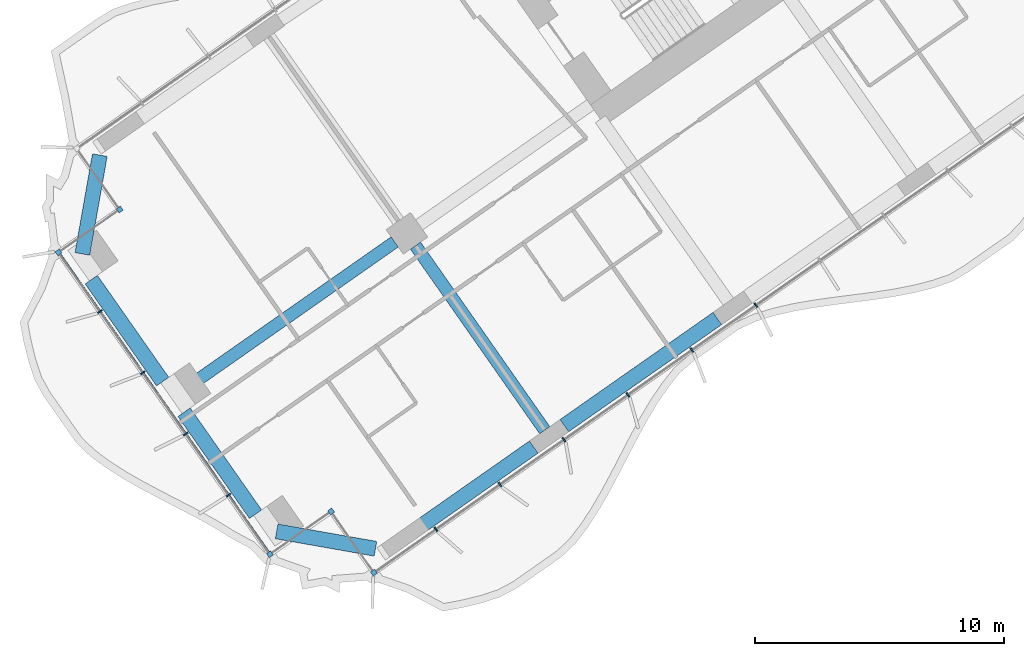
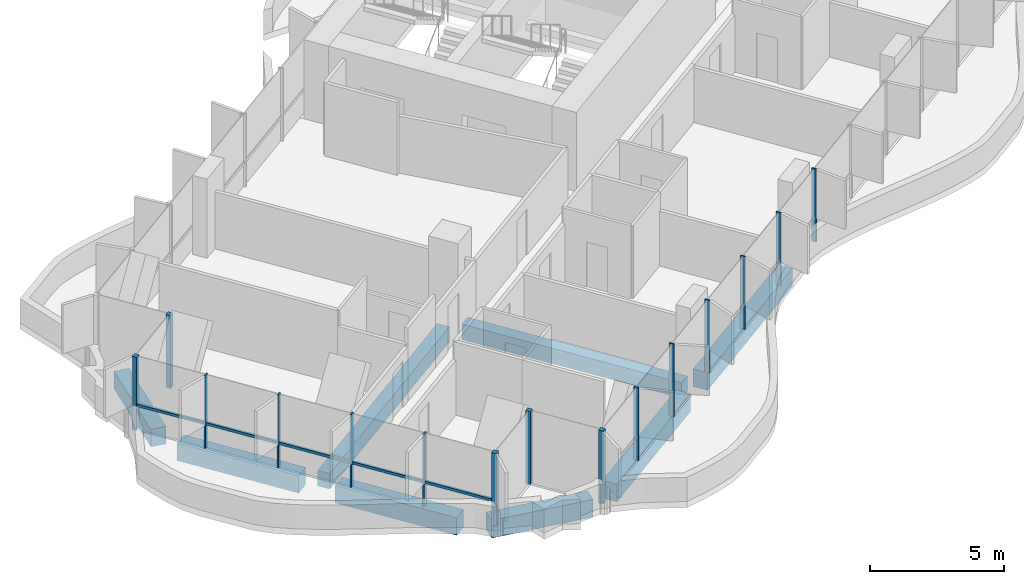
# One storey, part 2 of 23: 16 members, 8 beams, 1 element without a shape of its own.
"""IFC4 building model written with IfcOpenShell, lengths in metres."""

import ifcopenshell
import ifcopenshell.guid

model = None  # the IFC model being written
_history = None  # IfcOwnerHistory: only IFC2X3 demands one
_inside = {}  # id of a spatial element -> (the spatial element, [elements in it])
_under = {}  # id of a project, library or spatial element -> (it, [spatial elements below it])
_declared = {}  # id of a project -> (the project, [libraries it declares])
_typed = {}  # id of a type object -> (the type object, [elements of that type])
_made_of = {}  # id of a material, layer set ... -> (it, [elements and type objects made of it])


def new_model(schema):
    """Start an empty IFC model of exactly this schema.

    Asked for "IFC4X3", IfcOpenShell would pick the latest addendum, in which some entities
    have other attributes; the version numbers below select the first issue.
    IFC2X3 requires an IfcOwnerHistory on every rooted entity: one is made here for all.
    """
    global model, _history
    if schema == "IFC4X3":
        model = ifcopenshell.file(schema_version=(4, 3, 0, 0))
    else:
        model = ifcopenshell.file(schema=schema)
    _inside.clear()
    _under.clear()
    _declared.clear()
    _typed.clear()
    _made_of.clear()
    _history = None
    if model.schema == "IFC2X3":
        org = make("IfcOrganization", Name="unknown")
        user = make(
            "IfcPersonAndOrganization",
            ThePerson=make("IfcPerson", FamilyName="unknown"),
            TheOrganization=org,
        )
        app = make(
            "IfcApplication",
            ApplicationDeveloper=org,
            Version="unknown",
            ApplicationFullName="unknown",
            ApplicationIdentifier="unknown",
        )
        _history = make(
            "IfcOwnerHistory",
            OwningUser=user,
            OwningApplication=app,
            ChangeAction="ADDED",
            CreationDate=0,
        )
    return model


def make(cls, **values):
    """One entity of the class cls with the attributes given. An attribute that is None is left unset."""
    return model.create_entity(
        cls, **{name: value for name, value in values.items() if value is not None}
    )


def rooted(cls, **values):
    """An entity with a GlobalId (a new one), such as an element, a storey or a relation."""
    return make(cls, GlobalId=ifcopenshell.guid.new(), OwnerHistory=_history, **values)


def si_unit(unit_type, name, prefix=None):
    """IfcSIUnit, for example si_unit("LENGTHUNIT", "METRE", prefix="MILLI")."""
    return make("IfcSIUnit", UnitType=unit_type, Prefix=prefix, Name=name)


def assignment(units):
    """IfcUnitAssignment: the units of a project."""
    return None if units is None else make("IfcUnitAssignment", Units=units)


def point(xyz):
    """IfcCartesianPoint."""
    return None if xyz is None else make("IfcCartesianPoint", Coordinates=xyz)


def direction(xyz):
    """IfcDirection."""
    return None if xyz is None else make("IfcDirection", DirectionRatios=xyz)


def frame(location, z_axis=None, x_axis=None):
    """IfcAxis2Placement3D, a coordinate frame: its origin and axes. An axis left out is left unset."""
    return make(
        "IfcAxis2Placement3D",
        Location=point(location),
        Axis=direction(z_axis),
        RefDirection=direction(x_axis),
    )


def frame_2d(location, x_axis=None):
    """IfcAxis2Placement2D, a coordinate frame in the plane: its origin and x axis."""
    return make(
        "IfcAxis2Placement2D", Location=point(location), RefDirection=direction(x_axis)
    )


def origin():
    """The frame at (0, 0, 0) with its axes left unset."""
    return frame((0.0, 0.0, 0.0))


def origin_2d():
    """The frame at (0, 0) in the plane with its x axis left unset."""
    return frame_2d((0.0, 0.0))


def place(relative_to, where):
    """IfcLocalPlacement: puts the frame where relative to a parent placement (None: the world)."""
    return make(
        "IfcLocalPlacement", PlacementRelTo=relative_to, RelativePlacement=where
    )


def context(
    kind, dimensions, precision=None, world=None, true_north=None, identifier=None
):
    """IfcGeometricRepresentationContext, for example the 3D "Model" context."""
    return make(
        "IfcGeometricRepresentationContext",
        ContextIdentifier=identifier,
        ContextType=kind,
        CoordinateSpaceDimension=dimensions,
        Precision=precision,
        WorldCoordinateSystem=world,
        TrueNorth=true_north,
    )


def subcontext(parent, identifier, kind, view, scale=None):
    """IfcGeometricRepresentationSubContext, for example "Body" below "Model"."""
    return make(
        "IfcGeometricRepresentationSubContext",
        ContextIdentifier=identifier,
        ContextType=kind,
        ParentContext=parent,
        TargetScale=scale,
        TargetView=view,
    )


def project(units=None, contexts=None):
    """IfcProject with its units and contexts."""
    return rooted(
        "IfcProject",
        Name="project",
        RepresentationContexts=contexts,
        UnitsInContext=assignment(units),
    )


def spatial(cls, under=None, at=None, **own):
    """A site, building, storey or space (cls), placed at a placement, below another one or the project."""
    s = rooted(cls, ObjectPlacement=at, **own)
    if under is not None:
        _under.setdefault(under.id(), (under, []))[1].append(s)
    return s


def profile(cls, at=None, kind="AREA", **sizes):
    """A parametric profile (cls). Its sizes go by their IFC names, for example OverallWidth=200.0."""
    return make(cls, ProfileType=kind, Position=at, **sizes)


def rectangle(**sizes):
    """IfcRectangleProfileDef."""
    return profile("IfcRectangleProfileDef", **sizes)


def extrude(swept, where, along, depth):
    """IfcExtrudedAreaSolid: the profile swept, set in the frame where, extruded along a direction by depth."""
    return make(
        "IfcExtrudedAreaSolid",
        SweptArea=swept,
        Position=where,
        ExtrudedDirection=direction(along),
        Depth=depth,
    )


def shape(context_of_items, identifier, shape_type, items):
    """IfcShapeRepresentation: the items that make up one representation, for example the "Body"."""
    return make(
        "IfcShapeRepresentation",
        ContextOfItems=context_of_items,
        RepresentationIdentifier=identifier,
        RepresentationType=shape_type,
        Items=items,
    )


def material(Name=None, Category=None):
    """IfcMaterial."""
    return make("IfcMaterial", Name=Name, Category=Category)


def material_profile(
    of_material, cross_section, Name=None, Category=None, Priority=None
):
    """IfcMaterialProfile: a cross section and its material."""
    return make(
        "IfcMaterialProfile",
        Name=Name,
        Material=of_material,
        Profile=cross_section,
        Priority=Priority,
        Category=Category,
    )


def profile_set(profiles, Name=None, composite=None):
    """IfcMaterialProfileSet."""
    return make(
        "IfcMaterialProfileSet",
        Name=Name,
        MaterialProfiles=profiles,
        CompositeProfile=composite,
    )


def made_of(thing, what):
    """Note that an element or type object is made of a material, layer set ...; save() writes the relation."""
    if what is not None:
        _made_of.setdefault(what.id(), (what, []))[1].append(thing)
    return thing


def type_object(cls, material=None, **own):
    """A type object (cls), such as IfcWallType, which elements share."""
    return made_of(rooted(cls, **own), material)


def element(
    cls,
    number,
    at=None,
    inside=None,
    cuts=None,
    type_object=None,
    material=None,
    context=None,
    identifier="Body",
    shape_type=None,
    held_by="IfcProductDefinitionShape",
    body=None,
    shapes=None,
    **own,
):
    """One element of the class cls, such as IfcWall. Its Tag is "e" and its number.

    at: its placement. inside: the storey or other place that contains it. cuts: it is an
    opening in that element (IfcRelVoidsElement). A single representation is given by context,
    identifier, shape_type and body (its items); several are given by shapes. held_by: the class
    of the entity that holds the representations. save() writes the other relations.
    """
    e = rooted(cls, Tag="e%d" % number, ObjectPlacement=at, **own)
    if body is not None:
        shapes = [shape(context, identifier, shape_type, body)]
    if shapes is not None:
        e.Representation = make(held_by, Representations=shapes)
    if inside is not None:
        _inside.setdefault(inside.id(), (inside, []))[1].append(e)
    if cuts is not None:
        rooted(
            "IfcRelVoidsElement", RelatingBuildingElement=cuts, RelatedOpeningElement=e
        )
    if type_object is not None:
        _typed.setdefault(type_object.id(), (type_object, []))[1].append(e)
    return made_of(e, material)


def aggregate(whole, parts):
    """IfcRelAggregates: a whole, such as a stair, and the parts it consists of."""
    return rooted("IfcRelAggregates", RelatingObject=whole, RelatedObjects=parts)


def save(model, path):
    """Write the relations noted so far, then the file.

    IfcRelAggregates (storeys below a building ...), IfcRelContainedInSpatialStructure (elements
    in a storey), IfcRelDefinesByType, IfcRelAssociatesMaterial and IfcRelDeclares: one each for
    every whole, place, type object, material and project.
    """
    for whole, parts in _under.values():
        aggregate(whole, parts)
    for where, things in _inside.values():
        rooted(
            "IfcRelContainedInSpatialStructure",
            RelatedElements=things,
            RelatingStructure=where,
        )
    for kind, things in _typed.values():
        rooted("IfcRelDefinesByType", RelatedObjects=things, RelatingType=kind)
    for what, things in _made_of.values():
        rooted("IfcRelAssociatesMaterial", RelatedObjects=things, RelatingMaterial=what)
    for by, libraries in _declared.values():
        rooted("IfcRelDeclares", RelatingContext=by, RelatedDefinitions=libraries)
    model.write(path)


model = new_model("IFC4")

# Units and contexts
model_context = context("Model", 3, precision=1e-05, world=origin(), true_north=direction((0.0, 1.0)))
body_context = subcontext(model_context, "Body", "Model", "MODEL_VIEW")
ifc_project = project(units=[si_unit("LENGTHUNIT", "METRE"), si_unit("AREAUNIT", "SQUARE_METRE"), si_unit("VOLUMEUNIT", "CUBIC_METRE"), si_unit("PLANEANGLEUNIT", "RADIAN"), si_unit("MASSUNIT", "GRAM", prefix="KILO")], contexts=[model_context])

# Site, building, storey
site_placement = place(None, origin())
site = spatial("IfcSite", under=ifc_project, at=site_placement, CompositionType="ELEMENT")
building_placement = place(site_placement, origin())
building = spatial("IfcBuilding", under=site, at=building_placement, Name="Tel Ilan Convention Tower", CompositionType="ELEMENT")
storey_placement = place(building_placement, frame((0.0, 0.0, 94.10009765625)))
storey = spatial("IfcBuildingStorey", under=building, at=storey_placement, Name="L19", CompositionType="ELEMENT", Elevation=94.10009765625)

# Beams
ifc_material_1 = material(Name="Concrete C40/50", Category="concrete")
ifc_material_profile_1 = material_profile(ifc_material_1, rectangle(XDim=0.5, YDim=0.699951171875, at=origin_2d()), Name="RC 500x700")
ifc_profile_set_1 = profile_set([ifc_material_profile_1], Name="Concrete C40/50")
beam_type_1 = type_object("IfcBeamType", Name="Beam RC 500x700 Concrete C40/50", PredefinedType="BEAM", material=ifc_profile_set_1)
beam_1_placement = place(storey_placement, frame((-29.98095703125, -20.992919921875, -0.630126953125), z_axis=(-0.819151461915, -0.573577268067, 0.0), x_axis=(0.573577268067, -0.819151461915, 0.0)))
element("IfcBeam", 1, at=beam_1_placement, inside=storey, type_object=beam_type_1, Name="L19 beam W-W-M4-end", PredefinedType="BEAM", context=body_context, shape_type="SweptSolid", body=[
    extrude(rectangle(XDim=0.5, YDim=0.699951171875, at=origin_2d()), origin(), (0.0, 0.0, 1.0), 10.550048828125),
])
beam_2_placement = place(storey_placement, frame((-29.145263671875, -21.14013671875, -0.630126953125), z_axis=(0.573549245583, -0.819171082798, 0.0), x_axis=(0.819171082798, 0.573549245583, 0.0)))
element("IfcBeam", 2, at=beam_2_placement, inside=storey, type_object=beam_type_1, Name="L19 beam W-W-M4-W-F4", PredefinedType="BEAM", context=body_context, shape_type="SweptSolid", body=[
    extrude(rectangle(XDim=0.5, YDim=0.699951171875, at=origin_2d()), origin(), (0.0, 0.0, 1.0), 9.050048828125),
])
ifc_material_2 = material(Name="Concrete C40/50", Category="concrete")
ifc_material_profile_2 = material_profile(ifc_material_2, rectangle(XDim=0.60009765625, YDim=0.800048828125, at=origin_2d()), Name="RC 600x800")
ifc_profile_set_2 = profile_set([ifc_material_profile_2], Name="Concrete C40/50")
beam_type_2 = type_object("IfcBeamType", Name="Beam RC 600x800 Concrete C40/50", PredefinedType="BEAM", material=ifc_profile_set_2)
beam_3_placement = place(storey_placement, frame((-17.0244140625, -24.0673828125, -0.68017578125), z_axis=(-0.81915238829, -0.573575945067, 0.0), x_axis=(0.573575945067, -0.81915238829, 0.0)))
element("IfcBeam", 3, at=beam_3_placement, inside=storey, type_object=beam_type_2, Name="L19 beam W-W-F3-W-F4", PredefinedType="BEAM", context=body_context, shape_type="SweptSolid", body=[
    extrude(rectangle(XDim=0.60009765625, YDim=0.800048828125, at=origin_2d()), origin(), (0.0, 0.0, 1.0), 7.5),
])
beam_4_placement = place(storey_placement, frame((-24.396728515625, -29.2294921875, -0.68017578125), z_axis=(-0.819148977158, -0.573580816643, 0.0), x_axis=(0.573580816643, -0.819148977158, 0.0)))
element("IfcBeam", 4, at=beam_4_placement, inside=storey, type_object=beam_type_2, Name="L19 beam W-W-F4-W-FC", PredefinedType="BEAM", context=body_context, shape_type="SweptSolid", body=[
    extrude(rectangle(XDim=0.60009765625, YDim=0.800048828125, at=origin_2d()), origin(), (0.0, 0.0, 1.0), 6.5),
])
beam_5_placement = place(storey_placement, frame((-30.75341796875, -33.314208984375, -0.68017578125), z_axis=(-0.984815252405, 0.173605641124, 0.0), x_axis=(-0.173605641124, -0.984815252405, 0.0)))
element("IfcBeam", 5, at=beam_5_placement, inside=storey, type_object=beam_type_2, Name="L19 beam W-W-FC-W-E1", PredefinedType="BEAM", context=body_context, shape_type="SweptSolid", body=[
    extrude(rectangle(XDim=0.60009765625, YDim=0.800048828125, at=origin_2d()), origin(), (0.0, 0.0, 1.0), 4.030517578125),
])
for number, where, z_axis, x_axis, name in (
    (6, (-35.57080078125, -31.92626953125, -0.68017578125), (-0.573586866468, 0.819144740944, 0.0), (-0.819144740944, -0.573586866468, 0.0), "L19 beam W-W-E1-W-E2"),
    (7, (-39.298828125, -26.601806640625, -0.68017578125), (-0.573586866468, 0.819144740944, 0.0), (-0.819144740944, -0.573586866468, 0.0), "L19 beam W-W-E2-W-E3"),
):
    element("IfcBeam", number, at=place(storey_placement, frame(where, z_axis=z_axis, x_axis=x_axis)), inside=storey, type_object=beam_type_2, Name=name, PredefinedType="BEAM", context=body_context, shape_type="SweptSolid", body=[
        extrude(rectangle(XDim=0.60009765625, YDim=0.800048828125, at=origin_2d()), origin(), (0.0, 0.0, 1.0), 5.0),
    ])
beam_6_placement = place(storey_placement, frame((-42.523193359375, -21.473876953125, -0.68017578125), z_axis=(0.173605641124, 0.984815252405, 0.0), x_axis=(-0.984815252405, 0.173605641124, 0.0)))
element("IfcBeam", 8, at=beam_6_placement, inside=storey, type_object=beam_type_2, Name="L19 beam W-W-E3-W-BC", PredefinedType="BEAM", context=body_context, shape_type="SweptSolid", body=[
    extrude(rectangle(XDim=0.60009765625, YDim=0.800048828125, at=origin_2d()), origin(), (0.0, 0.0, 1.0), 4.030517578125),
])

# Curtain wall, members
ifc_material_3 = material(Name="Aluminium, bronze anodised", Category="aluminium")
curtain_wall_type = type_object("IfcCurtainWallType", Name="CW1 UNITISED CURTAIN WALL, HOTEL TINTED GLASS", PredefinedType="NOTDEFINED", material=ifc_material_3)
curtain_wall_placement = place(storey_placement, origin())
curtain_wall = element("IfcCurtainWall", 9, at=curtain_wall_placement, inside=storey, type_object=curtain_wall_type, Name="Curtain wall CW1-17.02", PredefinedType="NOTDEFINED")
ifc_material_4 = material(Name="Aluminium, bronze anodised", Category="aluminium")
ifc_material_profile_3 = material_profile(ifc_material_4, rectangle(XDim=0.199951171875, YDim=0.199951171875, at=origin_2d()), Name="CW CORNER MULLION 200x200")
ifc_profile_set_3 = profile_set([ifc_material_profile_3], Name="Aluminium, bronze anodised")
member_type_1 = type_object("IfcMemberType", Name="CW CORNER MULLION 200x200", PredefinedType="MULLION", material=ifc_profile_set_3)
member_1_placement = place(storey_placement, frame((-41.0244140625, -19.69189453125, 0.0), z_axis=(0.0, 0.0, 1.0), x_axis=(0.573576436351, -0.819152044289, 0.0)))
member_1 = element("IfcMember", 10, at=member_1_placement, type_object=member_type_1, Name="Corner mullion", PredefinedType="MULLION", context=body_context, shape_type="SweptSolid", body=[
    extrude(rectangle(XDim=0.199951171875, YDim=0.199951171875, at=origin_2d()), origin(), (0.0, 0.0, 1.0), 3.31982421875),
])
member_2_placement = place(storey_placement, frame((-43.48193359375, -21.41259765625, 0.0), z_axis=(0.0, 0.0, 1.0), x_axis=(-0.819152044289, -0.573576436351, 0.0)))
member_2 = element("IfcMember", 11, at=member_2_placement, type_object=member_type_1, Name="Corner mullion", PredefinedType="MULLION", context=body_context, shape_type="SweptSolid", body=[
    extrude(rectangle(XDim=0.199951171875, YDim=0.199951171875, at=origin_2d()), origin(), (0.0, 0.0, 1.0), 3.31982421875),
])
member_3_placement = place(storey_placement, frame((-34.992919921875, -33.5361328125, 0.0), z_axis=(0.0, 0.0, 1.0), x_axis=(0.573576436351, -0.819152044289, 0.0)))
member_3 = element("IfcMember", 12, at=member_3_placement, type_object=member_type_1, Name="Corner mullion", PredefinedType="MULLION", context=body_context, shape_type="SweptSolid", body=[
    extrude(rectangle(XDim=0.199951171875, YDim=0.199951171875, at=origin_2d()), origin(), (0.0, 0.0, 1.0), 3.31982421875),
])
member_4_placement = place(storey_placement, frame((-32.535400390625, -31.815185546875, 0.0), z_axis=(0.0, 0.0, 1.0), x_axis=(0.819152044289, 0.573576436351, 0.0)))
member_4 = element("IfcMember", 13, at=member_4_placement, type_object=member_type_1, Name="Corner mullion", PredefinedType="MULLION", context=body_context, shape_type="SweptSolid", body=[
    extrude(rectangle(XDim=0.199951171875, YDim=0.199951171875, at=origin_2d()), origin(), (0.0, 0.0, 1.0), 3.31982421875),
])
member_5_placement = place(storey_placement, frame((-30.814697265625, -34.272705078125, 0.0), z_axis=(0.0, 0.0, 1.0), x_axis=(0.573576436351, -0.819152044289, 0.0)))
member_5 = element("IfcMember", 14, at=member_5_placement, type_object=member_type_1, Name="Corner mullion", PredefinedType="MULLION", context=body_context, shape_type="SweptSolid", body=[
    extrude(rectangle(XDim=0.199951171875, YDim=0.199951171875, at=origin_2d()), origin(), (0.0, 0.0, 1.0), 3.31982421875),
])
ifc_material_5 = material(Name="Aluminium, bronze anodised", Category="aluminium")
ifc_material_profile_4 = material_profile(ifc_material_5, rectangle(XDim=0.06005859375, YDim=0.199951171875, at=origin_2d()), Name="CW MULLION 60x200")
ifc_profile_set_4 = profile_set([ifc_material_profile_4], Name="Aluminium, bronze anodised")
member_type_2 = type_object("IfcMemberType", Name="CW MULLION 60x200", PredefinedType="MULLION", material=ifc_profile_set_4)
member_6_placement = place(storey_placement, frame((-41.818359375, -23.7880859375, 0.0), z_axis=(0.0, 0.0, 1.0), x_axis=(0.573576436351, -0.819152044289, 0.0)))
member_6 = element("IfcMember", 15, at=member_6_placement, type_object=member_type_2, Name="Mullion", PredefinedType="MULLION", context=body_context, shape_type="SweptSolid", body=[
    extrude(rectangle(XDim=0.06005859375, YDim=0.199951171875, at=origin_2d()), origin(), (0.0, 0.0, 1.0), 3.31982421875),
])
member_7_placement = place(storey_placement, frame((-40.09765625, -26.24560546875, 0.0), z_axis=(0.0, 0.0, 1.0), x_axis=(0.573576436351, -0.819152044289, 0.0)))
member_7 = element("IfcMember", 16, at=member_7_placement, type_object=member_type_2, Name="Mullion", PredefinedType="MULLION", context=body_context, shape_type="SweptSolid", body=[
    extrude(rectangle(XDim=0.06005859375, YDim=0.199951171875, at=origin_2d()), origin(), (0.0, 0.0, 1.0), 3.31982421875),
])
member_8_placement = place(storey_placement, frame((-38.376953125, -28.703125, 0.0), z_axis=(0.0, 0.0, 1.0), x_axis=(0.573576436351, -0.819152044289, 0.0)))
member_8 = element("IfcMember", 17, at=member_8_placement, type_object=member_type_2, Name="Mullion", PredefinedType="MULLION", context=body_context, shape_type="SweptSolid", body=[
    extrude(rectangle(XDim=0.06005859375, YDim=0.199951171875, at=origin_2d()), origin(), (0.0, 0.0, 1.0), 3.31982421875),
])
member_9_placement = place(storey_placement, frame((-36.65625, -31.160400390625, 0.0), z_axis=(0.0, 0.0, 1.0), x_axis=(0.573576436351, -0.819152044289, 0.0)))
member_9 = element("IfcMember", 18, at=member_9_placement, type_object=member_type_2, Name="Mullion", PredefinedType="MULLION", context=body_context, shape_type="SweptSolid", body=[
    extrude(rectangle(XDim=0.06005859375, YDim=0.199951171875, at=origin_2d()), origin(), (0.0, 0.0, 1.0), 3.31982421875),
])
member_10_placement = place(storey_placement, frame((-28.32666015625, -32.530517578125, 0.0), z_axis=(0.0, 0.0, 1.0), x_axis=(0.819152044289, 0.573576436351, 0.0)))
member_10 = element("IfcMember", 19, at=member_10_placement, type_object=member_type_2, Name="Mullion", PredefinedType="MULLION", context=body_context, shape_type="SweptSolid", body=[
    extrude(rectangle(XDim=0.06005859375, YDim=0.199951171875, at=origin_2d()), origin(), (0.0, 0.0, 1.0), 3.31982421875),
])
member_11_placement = place(storey_placement, frame((-25.7568359375, -30.731201171875, 0.0), z_axis=(0.0, 0.0, 1.0), x_axis=(0.819152044289, 0.573576436351, 0.0)))
member_11 = element("IfcMember", 20, at=member_11_placement, type_object=member_type_2, Name="Mullion", PredefinedType="MULLION", context=body_context, shape_type="SweptSolid", body=[
    extrude(rectangle(XDim=0.06005859375, YDim=0.199951171875, at=origin_2d()), origin(), (0.0, 0.0, 1.0), 3.31982421875),
])
member_12_placement = place(storey_placement, frame((-23.186767578125, -28.931640625, 0.0), z_axis=(0.0, 0.0, 1.0), x_axis=(0.819152044289, 0.573576436351, 0.0)))
member_12 = element("IfcMember", 21, at=member_12_placement, type_object=member_type_2, Name="Mullion", PredefinedType="MULLION", context=body_context, shape_type="SweptSolid", body=[
    extrude(rectangle(XDim=0.06005859375, YDim=0.199951171875, at=origin_2d()), origin(), (0.0, 0.0, 1.0), 3.31982421875),
])
member_13_placement = place(storey_placement, frame((-20.616943359375, -27.132080078125, 0.0), z_axis=(0.0, 0.0, 1.0), x_axis=(0.819152044289, 0.573576436351, 0.0)))
member_13 = element("IfcMember", 22, at=member_13_placement, type_object=member_type_2, Name="Mullion", PredefinedType="MULLION", context=body_context, shape_type="SweptSolid", body=[
    extrude(rectangle(XDim=0.06005859375, YDim=0.199951171875, at=origin_2d()), origin(), (0.0, 0.0, 1.0), 3.31982421875),
])
member_14_placement = place(storey_placement, frame((-18.046875, -25.332763671875, 0.0), z_axis=(0.0, 0.0, 1.0), x_axis=(0.819152044289, 0.573576436351, 0.0)))
member_14 = element("IfcMember", 23, at=member_14_placement, type_object=member_type_2, Name="Mullion", PredefinedType="MULLION", context=body_context, shape_type="SweptSolid", body=[
    extrude(rectangle(XDim=0.06005859375, YDim=0.199951171875, at=origin_2d()), origin(), (0.0, 0.0, 1.0), 3.31982421875),
])
member_15_placement = place(storey_placement, frame((-15.47705078125, -23.533203125, 0.0), z_axis=(0.0, 0.0, 1.0), x_axis=(0.819152044289, 0.573576436351, 0.0)))
member_15 = element("IfcMember", 24, at=member_15_placement, type_object=member_type_2, Name="Mullion", PredefinedType="MULLION", context=body_context, shape_type="SweptSolid", body=[
    extrude(rectangle(XDim=0.06005859375, YDim=0.199951171875, at=origin_2d()), origin(), (0.0, 0.0, 1.0), 3.31982421875),
])
ifc_material_6 = material(Name="Aluminium, bronze anodised", Category="aluminium")
ifc_material_profile_5 = material_profile(ifc_material_6, rectangle(XDim=0.10009765625, YDim=0.1201171875, at=origin_2d()), Name="CW TRANSOM 100x120")
ifc_profile_set_5 = profile_set([ifc_material_profile_5], Name="Aluminium, bronze anodised")
member_type_3 = type_object("IfcMemberType", Name="CW TRANSOM 100x120", PredefinedType="USERDEFINED", material=ifc_profile_set_5)
member_16_placement = place(storey_placement, frame((-43.424560546875, -21.494384765625, 1.099853515625), z_axis=(0.573575688231, -0.819152568128, 0.0), x_axis=(0.819152568128, 0.573575688231, 0.0)))
member_16 = element("IfcMember", 25, at=member_16_placement, type_object=member_type_3, Name="Transom", ObjectType="TRANSOM", PredefinedType="USERDEFINED", context=body_context, shape_type="SweptSolid", body=[
    extrude(rectangle(XDim=0.10009765625, YDim=0.1201171875, at=origin_2d()), origin(), (0.0, 0.0, 1.0), 14.60009765625),
])
aggregate(curtain_wall, [member_1, member_2, member_6, member_7, member_8, member_9, member_3, member_16, member_4, member_5, member_10, member_11, member_12, member_13, member_14, member_15])

save(model, "model.ifc")
